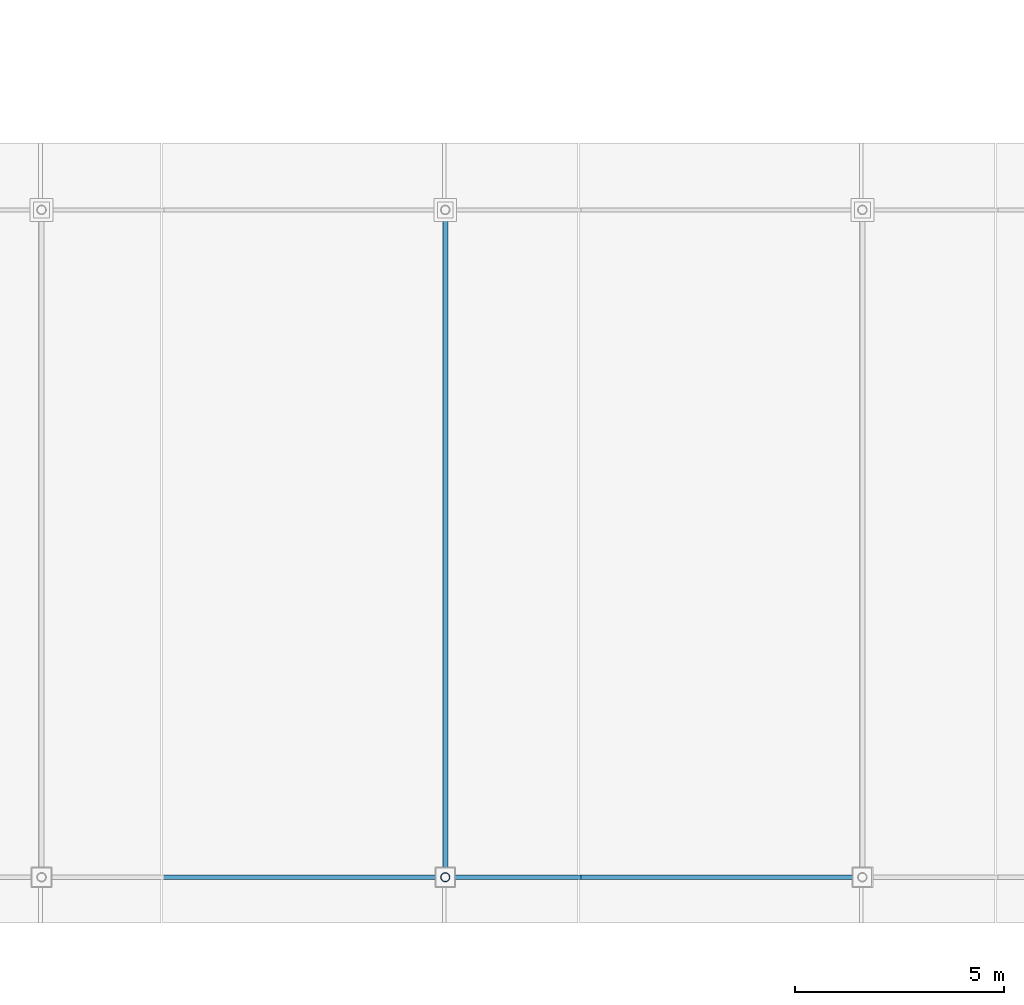
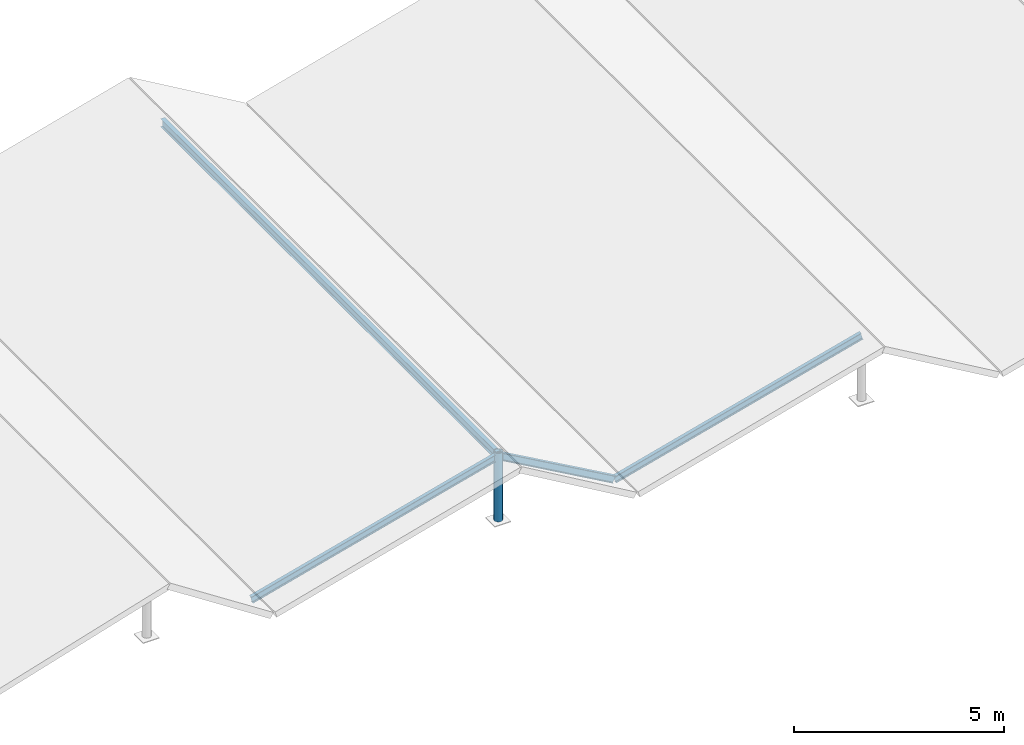
# One storey, part 3 of 70: 4 beams, 1 member.
"""IFC4 building model written with IfcOpenShell, lengths in metres."""

from ifc_helpers import new_model, si_unit, direction, frame, origin, origin_2d, place, context, subcontext, project, spatial, hollow_circle, i_section, extrude, material, material_profile, profile_set, type_object, element, save


model = new_model("IFC4")

# Units and contexts
model_context = context("Model", 3, precision=1e-05, world=origin(), true_north=direction((0.0, 1.0)))
body_context = subcontext(model_context, "Body", "Model", "MODEL_VIEW")
ifc_project = project(units=[si_unit("LENGTHUNIT", "METRE"), si_unit("AREAUNIT", "SQUARE_METRE"), si_unit("VOLUMEUNIT", "CUBIC_METRE"), si_unit("PLANEANGLEUNIT", "RADIAN"), si_unit("MASSUNIT", "GRAM", prefix="KILO")], contexts=[model_context])

# Site, building, storey
site_placement = place(None, origin())
site = spatial("IfcSite", under=ifc_project, at=site_placement, CompositionType="ELEMENT")
building_placement = place(site_placement, origin())
building = spatial("IfcBuilding", under=site, at=building_placement, Name="Zimvara Arc Housing Community", CompositionType="ELEMENT")
storey_placement = place(building_placement, frame((0.0, 0.0, 8.10009765625)))
storey = spatial("IfcBuildingStorey", under=building, at=storey_placement, Name="L02", CompositionType="ELEMENT", Elevation=8.10009765625)

# Beams
ifc_material_1 = material(Name="Steel S355", Category="steel")
ifc_material_profile_1 = material_profile(ifc_material_1, i_section(OverallWidth=0.10009765625, OverallDepth=0.199951171875, WebThickness=0.005615234375, FlangeThickness=0.008544921875, FilletRadius=0.011962890625, at=origin_2d()), Name="IPE 200")
ifc_profile_set_1 = profile_set([ifc_material_profile_1], Name="Steel S355")
beam_type_1 = type_object("IfcBeamType", Name="BM-ST-IPE200", PredefinedType="JOIST", material=ifc_profile_set_1)
beam_1_placement = place(storey_placement, frame((18.0, 3.60009765625, -0.690185546875), z_axis=(0.966351161922, 0.0, 0.257226421373), x_axis=(0.0, 1.0, 0.0)))
element("IfcBeam", 1, at=beam_1_placement, inside=storey, type_object=beam_type_1, Name="bm:shops:L02:raf_w:b2:y0", PredefinedType="JOIST", context=body_context, shape_type="SweptSolid", body=[
    extrude(i_section(OverallWidth=0.10009765625, OverallDepth=0.199951171875, WebThickness=0.005615234375, FlangeThickness=0.008544921875, FilletRadius=0.011962890625, at=origin_2d()), origin(), (0.0, 0.0, 1.0), 7.036865234375),
])
beam_2_placement = place(storey_placement, frame((24.800048828125, 3.60009765625, 1.119873046875), z_axis=(0.870400769077, 0.0, -0.492343885095), x_axis=(0.0, 1.0, 0.0)))
element("IfcBeam", 2, at=beam_2_placement, inside=storey, type_object=beam_type_1, Name="bm:shops:L02:raf_e:b2:y0", PredefinedType="JOIST", context=body_context, shape_type="SweptSolid", body=[
    extrude(i_section(OverallWidth=0.10009765625, OverallDepth=0.199951171875, WebThickness=0.005615234375, FlangeThickness=0.008544921875, FilletRadius=0.011962890625, at=origin_2d()), origin(), (0.0, 0.0, 1.0), 3.676513671875),
])
beam_3_placement = place(storey_placement, frame((28.0, 3.60009765625, -0.690185546875), z_axis=(0.966351161922, 0.0, 0.257226421373), x_axis=(0.0, 1.0, 0.0)))
element("IfcBeam", 3, at=beam_3_placement, inside=storey, type_object=beam_type_1, Name="bm:shops:L02:raf_w:b3:y0", PredefinedType="JOIST", context=body_context, shape_type="SweptSolid", body=[
    extrude(i_section(OverallWidth=0.10009765625, OverallDepth=0.199951171875, WebThickness=0.005615234375, FlangeThickness=0.008544921875, FilletRadius=0.011962890625, at=origin_2d()), origin(), (0.0, 0.0, 1.0), 7.036865234375),
])
ifc_material_2 = material(Name="Steel S355", Category="steel")
ifc_material_profile_2 = material_profile(ifc_material_2, i_section(OverallWidth=0.1201171875, OverallDepth=0.239990234375, WebThickness=0.006103515625, FlangeThickness=0.009765625, FilletRadius=0.014892578125, at=origin_2d()), Name="IPE 240")
ifc_profile_set_2 = profile_set([ifc_material_profile_2], Name="Steel S355")
beam_type_2 = type_object("IfcBeamType", Name="BM-ST-IPE240", PredefinedType="JOIST", material=ifc_profile_set_2)
beam_4_placement = place(storey_placement, frame((24.800048828125, 3.60009765625, 1.119873046875), z_axis=(0.0, 1.0, 0.0), x_axis=(-1.0, 0.0, 0.0)))
element("IfcBeam", 4, at=beam_4_placement, inside=storey, type_object=beam_type_2, Name="bm:shops:L02:crest_bm:b2", PredefinedType="JOIST", context=body_context, shape_type="SweptSolid", body=[
    extrude(i_section(OverallWidth=0.1201171875, OverallDepth=0.239990234375, WebThickness=0.006103515625, FlangeThickness=0.009765625, FilletRadius=0.014892578125, at=origin_2d()), origin(), (0.0, 0.0, 1.0), 16.0),
])

# Member
ifc_material_3 = material(Name="Steel S355", Category="steel")
ifc_material_profile_3 = material_profile(ifc_material_3, hollow_circle(Radius=0.109619140625, WallThickness=0.008056640625, at=origin_2d()), Name="CHS 219.1x8.0")
ifc_profile_set_3 = profile_set([ifc_material_profile_3], Name="Steel S355")
member_type = type_object("IfcMemberType", Name="MB-STRUT-CHS219", PredefinedType="STRUT", material=ifc_profile_set_3)
member_placement = place(storey_placement, frame((24.800048828125, 3.60009765625, -0.75), z_axis=(0.0, 0.0, 1.0), x_axis=(1.0, 0.0, 0.0)))
element("IfcMember", 5, at=member_placement, inside=storey, type_object=member_type, Name="mb:shops:L02:crest_strut:b2:y0", PredefinedType="STRUT", context=body_context, shape_type="SweptSolid", body=[
    extrude(hollow_circle(Radius=0.109619140625, WallThickness=0.008056640625, at=origin_2d()), origin(), (0.0, 0.0, 1.0), 2.0),
])

save(model, "model.ifc")
